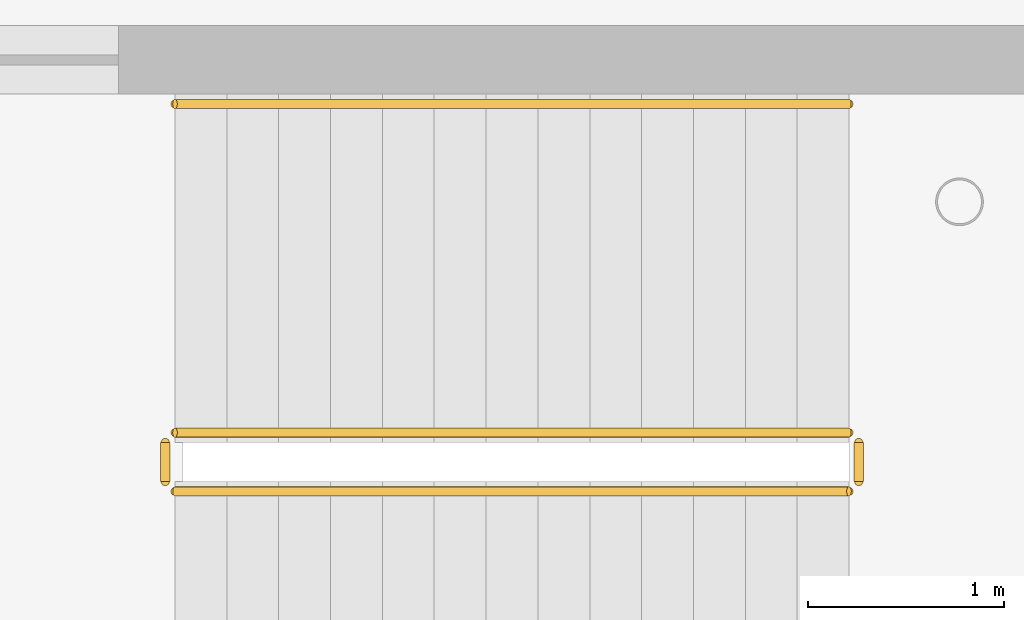
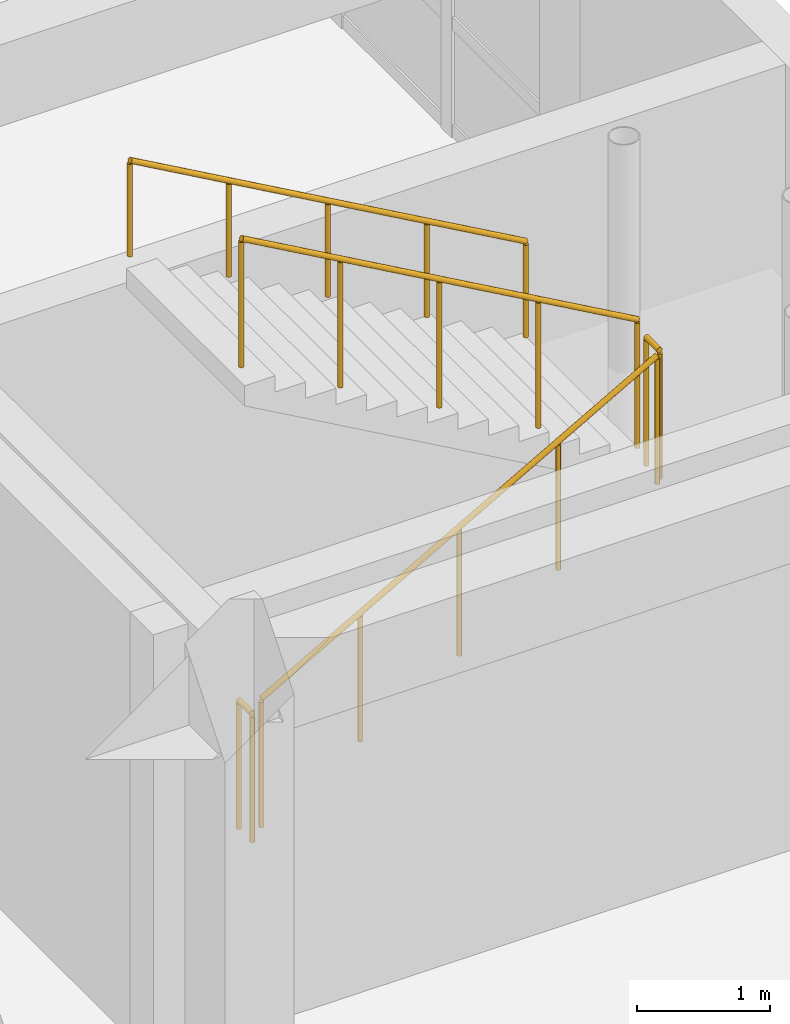
# One storey, part 119 of 121: 5 railings.
"""IFC4 building model written with IfcOpenShell, lengths in metres."""

from ifc_helpers import new_model, si_unit, direction, frame, origin, origin_2d, place, context, subcontext, project, spatial, circle, extrude, material, type_object, element, save


model = new_model("IFC4")

# Units and contexts
model_context = context("Model", 3, precision=1e-05, world=origin(), true_north=direction((0.0, 1.0)))
body_context = subcontext(model_context, "Body", "Model", "MODEL_VIEW")
ifc_project = project(units=[si_unit("LENGTHUNIT", "METRE"), si_unit("AREAUNIT", "SQUARE_METRE"), si_unit("VOLUMEUNIT", "CUBIC_METRE"), si_unit("PLANEANGLEUNIT", "RADIAN"), si_unit("MASSUNIT", "GRAM", prefix="KILO")], contexts=[model_context])

# Site, building, storey
site_placement = place(None, origin())
site = spatial("IfcSite", under=ifc_project, at=site_placement, CompositionType="ELEMENT")
building_placement = place(site_placement, origin())
building = spatial("IfcBuilding", under=site, at=building_placement, Name="Kharva Crest Polytechnic", CompositionType="ELEMENT")
storey_placement = place(building_placement, frame((0.0, 0.0, 13.199951171875)))
storey = spatial("IfcBuildingStorey", under=building, at=storey_placement, Name="L03", CompositionType="ELEMENT", Elevation=13.199951171875)

# Railings
ifc_material_1 = material(Name="Anodised aluminium", Category="aluminium")
railing_type_1 = type_object("IfcRailingType", Name="RL-STAIR-GUARD-1200", PredefinedType="GUARDRAIL", material=ifc_material_1)
railing_1_placement = place(storey_placement, frame((178.090087890625, 73.39990234375, 0.150146484375)))
element("IfcRailing", 1, at=railing_1_placement, inside=storey, type_object=railing_type_1, Name="L03 ST-05 stair guard 1", PredefinedType="GUARDRAIL", context=body_context, shape_type="SweptSolid", body=[
    extrude(circle(Radius=0.02392578125, at=origin_2d()), frame((0.0, 0.0, 1.17578125), z_axis=(0.870251367514, 0.0, 0.492607914411), x_axis=(0.0, 1.0, 0.0)), (0.0, 0.0, 1.0), 3.95849609375),
    extrude(circle(Radius=0.02099609375, at=origin_2d()), origin(), (0.0, 0.0, 1.0), 1.15185546875),
    extrude(circle(Radius=0.02099609375, at=origin_2d()), frame((0.861328125, 0.0, 0.487548828125)), (0.0, 0.0, 1.0), 1.15185546875),
    extrude(circle(Radius=0.02099609375, at=origin_2d()), frame((1.722412109375, 0.0, 0.97509765625)), (0.0, 0.0, 1.0), 1.15185546875),
    extrude(circle(Radius=0.02099609375, at=origin_2d()), frame((2.58349609375, 0.0, 1.46240234375)), (0.0, 0.0, 1.0), 1.15185546875),
    extrude(circle(Radius=0.02099609375, at=origin_2d()), frame((3.44482421875, 0.0, 1.949951171875)), (0.0, 0.0, 1.0), 1.15185546875),
])
railing_2_placement = place(storey_placement, frame((181.5849609375, 73.449951171875, 2.10009765625)))
element("IfcRailing", 2, at=railing_2_placement, inside=storey, type_object=railing_type_1, Name="L03 ST-05 stair guard 2", PredefinedType="GUARDRAIL", context=body_context, shape_type="SweptSolid", body=[
    extrude(circle(Radius=0.02392578125, at=origin_2d()), frame((0.0, 0.0, 1.17578125), z_axis=(0.0, 1.0, 0.0), x_axis=(-1.0, 0.0, 0.0)), (0.0, 0.0, 1.0), 0.199951171875),
    extrude(circle(Radius=0.02099609375, at=origin_2d()), origin(), (0.0, 0.0, 1.0), 1.15185546875),
    extrude(circle(Radius=0.02099609375, at=origin_2d()), frame((0.0, 0.199951171875, 0.0)), (0.0, 0.0, 1.0), 1.15185546875),
])
railing_3_placement = place(storey_placement, frame((181.534912109375, 73.699951171875, 2.25)))
element("IfcRailing", 3, at=railing_3_placement, inside=storey, type_object=railing_type_1, Name="L03 ST-05 stair guard 3", PredefinedType="GUARDRAIL", context=body_context, shape_type="SweptSolid", body=[
    extrude(circle(Radius=0.02392578125, at=origin_2d()), frame((0.0, 0.0, 1.17578125), z_axis=(-0.870251367514, 0.0, 0.492607914411), x_axis=(0.0, -1.0, 0.0)), (0.0, 0.0, 1.0), 3.95849609375),
    extrude(circle(Radius=0.02099609375, at=origin_2d()), origin(), (0.0, 0.0, 1.0), 1.15185546875),
    extrude(circle(Radius=0.02099609375, at=origin_2d()), frame((-0.861328125, 0.0, 0.487548828125)), (0.0, 0.0, 1.0), 1.15185546875),
    extrude(circle(Radius=0.02099609375, at=origin_2d()), frame((-1.722412109375, 0.0, 0.97509765625)), (0.0, 0.0, 1.0), 1.15185546875),
    extrude(circle(Radius=0.02099609375, at=origin_2d()), frame((-2.58349609375, 0.0, 1.46240234375)), (0.0, 0.0, 1.0), 1.15185546875),
    extrude(circle(Radius=0.02099609375, at=origin_2d()), frame((-3.44482421875, 0.0, 1.949951171875)), (0.0, 0.0, 1.0), 1.15185546875),
])
railing_4_placement = place(storey_placement, frame((178.0400390625, 73.449951171875, 0.0)))
element("IfcRailing", 4, at=railing_4_placement, inside=storey, type_object=railing_type_1, Name="L03 ST-05 stair guard 4", PredefinedType="GUARDRAIL", context=body_context, shape_type="SweptSolid", body=[
    extrude(circle(Radius=0.02392578125, at=origin_2d()), frame((0.0, 0.0, 1.17578125), z_axis=(0.0, 1.0, 0.0), x_axis=(-1.0, 0.0, 0.0)), (0.0, 0.0, 1.0), 0.199951171875),
    extrude(circle(Radius=0.02099609375, at=origin_2d()), origin(), (0.0, 0.0, 1.0), 1.15185546875),
    extrude(circle(Radius=0.02099609375, at=origin_2d()), frame((0.0, 0.199951171875, 0.0)), (0.0, 0.0, 1.0), 1.15185546875),
])
ifc_material_2 = material(Name="Teak timber", Category="wood")
railing_type_2 = type_object("IfcRailingType", Name="RL-STAIR-HAND-900", PredefinedType="HANDRAIL", material=ifc_material_2)
railing_5_placement = place(storey_placement, frame((181.534912109375, 75.3798828125, 2.25)))
element("IfcRailing", 5, at=railing_5_placement, inside=storey, type_object=railing_type_2, Name="L03 ST-05 stair handrail 2", PredefinedType="HANDRAIL", context=body_context, shape_type="SweptSolid", body=[
    extrude(circle(Radius=0.02392578125, at=origin_2d()), frame((0.0, 0.0, 0.8759765625), z_axis=(-0.870251367514, 0.0, 0.492607914411), x_axis=(0.0, -1.0, 0.0)), (0.0, 0.0, 1.0), 3.95849609375),
    extrude(circle(Radius=0.02099609375, at=origin_2d()), origin(), (0.0, 0.0, 1.0), 0.851806640625),
    extrude(circle(Radius=0.02099609375, at=origin_2d()), frame((-0.861328125, 0.0, 0.487548828125)), (0.0, 0.0, 1.0), 0.851806640625),
    extrude(circle(Radius=0.02099609375, at=origin_2d()), frame((-1.722412109375, 0.0, 0.97509765625)), (0.0, 0.0, 1.0), 0.851806640625),
    extrude(circle(Radius=0.02099609375, at=origin_2d()), frame((-2.58349609375, 0.0, 1.46240234375)), (0.0, 0.0, 1.0), 0.851806640625),
    extrude(circle(Radius=0.02099609375, at=origin_2d()), frame((-3.44482421875, 0.0, 1.949951171875)), (0.0, 0.0, 1.0), 0.851806640625),
])

save(model, "model.ifc")
